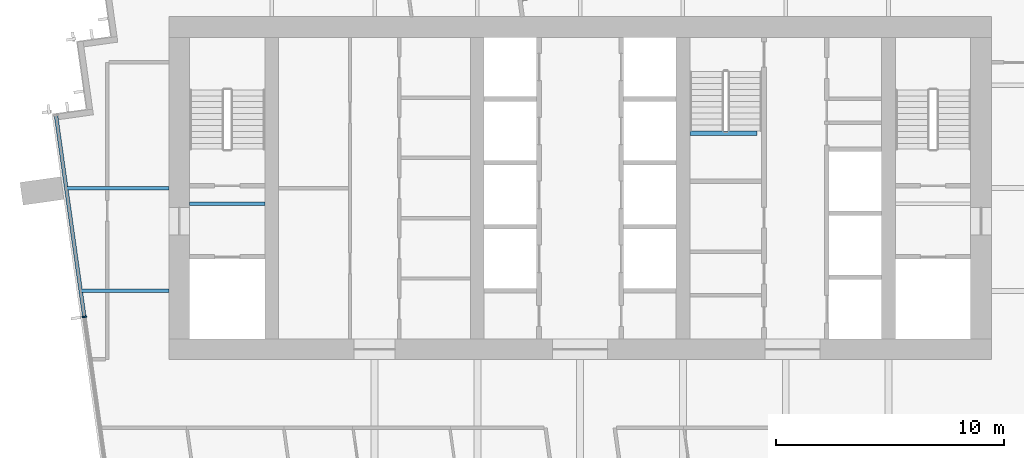
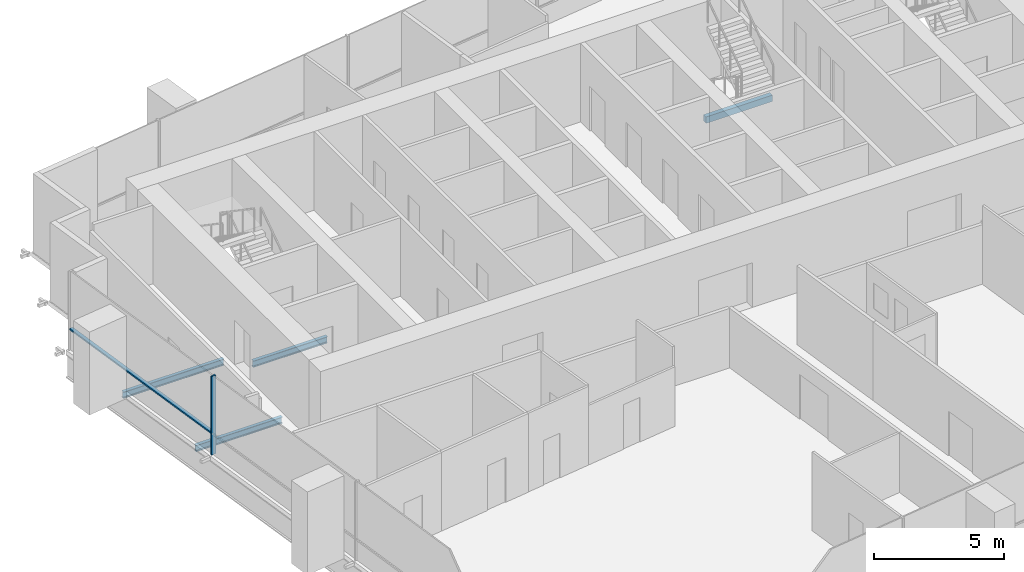
# One storey, part 4 of 14: 4 beams, 2 members, 1 element without a shape of its own.
"""IFC4 building model written with IfcOpenShell, lengths in metres."""

from ifc_helpers import new_model, si_unit, direction, frame, origin, origin_2d, place, context, subcontext, project, spatial, rectangle, i_section, extrude, material, layer, layer_set, material_profile, profile_set, type_object, element, aggregate, save


model = new_model("IFC4")

# Units and contexts
model_context = context("Model", 3, precision=1e-05, world=origin(), true_north=direction((0.0, 1.0)))
body_context = subcontext(model_context, "Body", "Model", "MODEL_VIEW")
ifc_project = project(units=[si_unit("LENGTHUNIT", "METRE"), si_unit("AREAUNIT", "SQUARE_METRE"), si_unit("VOLUMEUNIT", "CUBIC_METRE"), si_unit("PLANEANGLEUNIT", "RADIAN"), si_unit("MASSUNIT", "GRAM", prefix="KILO")], contexts=[model_context])

# Site, building, storey
site_placement = place(None, origin())
site = spatial("IfcSite", under=ifc_project, at=site_placement, CompositionType="ELEMENT")
building_placement = place(site_placement, origin())
building = spatial("IfcBuilding", under=site, at=building_placement, Name="Rattan Terrace Tower", CompositionType="ELEMENT")
storey_placement = place(building_placement, frame((0.0, 0.0, 229.10009765625)))
storey = spatial("IfcBuildingStorey", under=building, at=storey_placement, Name="L52", CompositionType="ELEMENT", Elevation=229.10009765625)

# Beams
ifc_material_1 = material(Name="Concrete C40/50", Category="concrete")
ifc_material_profile_1 = material_profile(ifc_material_1, rectangle(XDim=0.199951171875, YDim=0.300048828125, at=origin_2d()), Name="RC 200x300")
ifc_profile_set_1 = profile_set([ifc_material_profile_1], Name="Concrete C40/50")
beam_type_1 = type_object("IfcBeamType", Name="Core landing beam RC 200x300", PredefinedType="BEAM", material=ifc_profile_set_1)
beam_1_placement = place(storey_placement, frame((4.800048828125, 2.39990234375, 1.599853515625), z_axis=(1.0, 0.0, 0.0), x_axis=(0.0, 1.0, 0.0)))
element("IfcBeam", 1, at=beam_1_placement, inside=storey, type_object=beam_type_1, Name="st-S3-L52 landing 1 edge beam", PredefinedType="BEAM", context=body_context, shape_type="SweptSolid", body=[
    extrude(rectangle(XDim=0.199951171875, YDim=0.300048828125, at=origin_2d()), origin(), (0.0, 0.0, 1.0), 2.949951171875),
])
ifc_material_2 = material(Name="Steel S355", Category="steel")
ifc_material_profile_2 = material_profile(ifc_material_2, i_section(OverallWidth=0.14990234375, OverallDepth=0.300048828125, WebThickness=0.007080078125, FlangeThickness=0.0107421875, FilletRadius=0.014892578125, at=origin_2d()), Name="IPE 300")
ifc_profile_set_2 = profile_set([ifc_material_profile_2], Name="Steel S355")
beam_type_2 = type_object("IfcBeamType", Name="Frame floor beam IPE 300", PredefinedType="JOIST", material=ifc_profile_set_2)
beam_2_placement = place(storey_placement, frame((-17.10009765625, -0.695068359375, -0.35009765625), z_axis=(1.0, 0.0, 0.0), x_axis=(0.0, 1.0, 0.0)))
element("IfcBeam", 2, at=beam_2_placement, inside=storey, type_object=beam_type_2, Name="bm-L52-001", PredefinedType="JOIST", context=body_context, shape_type="SweptSolid", body=[
    extrude(i_section(OverallWidth=0.14990234375, OverallDepth=0.300048828125, WebThickness=0.007080078125, FlangeThickness=0.0107421875, FilletRadius=0.014892578125, at=origin_2d()), origin(), (0.0, 0.0, 1.0), 3.300048828125),
])
beam_3_placement = place(storey_placement, frame((-21.844970703125, -4.5, -0.35009765625), z_axis=(1.0, 0.0, 0.0), x_axis=(0.0, 1.0, 0.0)))
element("IfcBeam", 3, at=beam_3_placement, inside=storey, type_object=beam_type_2, Name="bm-L52-009", PredefinedType="JOIST", context=body_context, shape_type="SweptSolid", body=[
    extrude(i_section(OverallWidth=0.14990234375, OverallDepth=0.300048828125, WebThickness=0.007080078125, FlangeThickness=0.0107421875, FilletRadius=0.014892578125, at=origin_2d()), origin(), (0.0, 0.0, 1.0), 3.844970703125),
])
beam_4_placement = place(storey_placement, frame((-22.47705078125, 0.0, -0.35009765625), z_axis=(1.0, 0.0, 0.0), x_axis=(0.0, 1.0, 0.0)))
element("IfcBeam", 4, at=beam_4_placement, inside=storey, type_object=beam_type_2, Name="bm-L52-011", PredefinedType="JOIST", context=body_context, shape_type="SweptSolid", body=[
    extrude(i_section(OverallWidth=0.14990234375, OverallDepth=0.300048828125, WebThickness=0.007080078125, FlangeThickness=0.0107421875, FilletRadius=0.014892578125, at=origin_2d()), origin(), (0.0, 0.0, 1.0), 4.47705078125),
])

# Curtain wall, members
ifc_material_3 = material(Name="Aluminium and laminated glass", Category="aluminium")
ifc_layer = layer(ifc_material_3, 0.199951171875)
ifc_layer_set = layer_set([ifc_layer], Name="High-Zone Unitised Curtain Wall")
curtain_wall_type = type_object("IfcCurtainWallType", Name="High-Zone Unitised Curtain Wall", PredefinedType="NOTDEFINED", material=ifc_layer_set)
curtain_wall_placement = place(storey_placement, origin())
curtain_wall = element("IfcCurtainWall", 5, at=curtain_wall_placement, inside=storey, type_object=curtain_wall_type, Name="High-zone curtain wall L52-3", PredefinedType="NOTDEFINED")
ifc_material_4 = material(Name="Aluminium", Category="aluminium")
ifc_material_profile_3 = material_profile(ifc_material_4, rectangle(XDim=0.070068359375, YDim=0.199951171875, at=origin_2d()), Name="Aluminium 70x200")
ifc_profile_set_3 = profile_set([ifc_material_profile_3], Name="Aluminium")
member_type_1 = type_object("IfcMemberType", Name="High-Zone CW Mullion 70x200", PredefinedType="MULLION", material=ifc_profile_set_3)
member_1_placement = place(storey_placement, frame((-21.705078125, -5.638671875, 0.0), z_axis=(0.0, 0.0, 1.0), x_axis=(0.139186165309, -0.990266232579, 0.0)))
member_1 = element("IfcMember", 6, at=member_1_placement, type_object=member_type_1, Name="Mullion cwl-L52-003.2", PredefinedType="MULLION", context=body_context, shape_type="SweptSolid", body=[
    extrude(rectangle(XDim=0.070068359375, YDim=0.199951171875, at=origin_2d()), origin(), (0.0, 0.0, 1.0), 3.699951171875),
])
ifc_material_5 = material(Name="Aluminium", Category="aluminium")
ifc_material_profile_4 = material_profile(ifc_material_5, rectangle(XDim=0.159912109375, YDim=0.070068359375, at=origin_2d()), Name="Aluminium 160x70")
ifc_profile_set_4 = profile_set([ifc_material_profile_4], Name="Aluminium")
member_type_2 = type_object("IfcMemberType", Name="High-Zone CW Transom 160x70", PredefinedType="USERDEFINED", material=ifc_profile_set_4)
member_2_placement = place(storey_placement, frame((-22.941650390625, 3.159912109375, 1.0), z_axis=(0.139173253985, -0.990268047235, 0.0), x_axis=(0.990268047235, 0.139173253985, 0.0)))
member_2 = element("IfcMember", 7, at=member_2_placement, type_object=member_type_2, Name="Transom cwl-L52-003.1", ObjectType="TRANSOM", PredefinedType="USERDEFINED", context=body_context, shape_type="SweptSolid", body=[
    extrude(rectangle(XDim=0.159912109375, YDim=0.070068359375, at=origin_2d()), origin(), (0.0, 0.0, 1.0), 8.85009765625),
])
aggregate(curtain_wall, [member_1, member_2])

save(model, "model.ifc")
